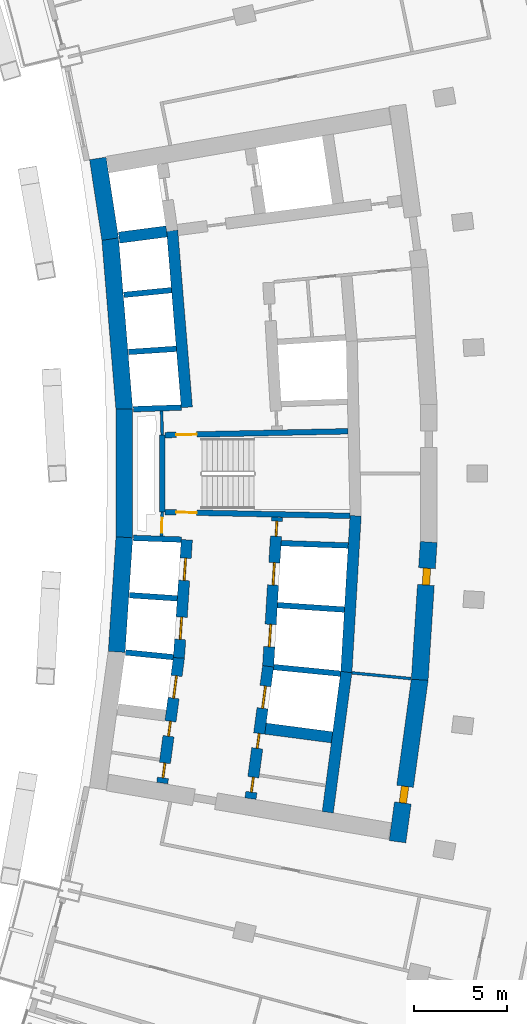
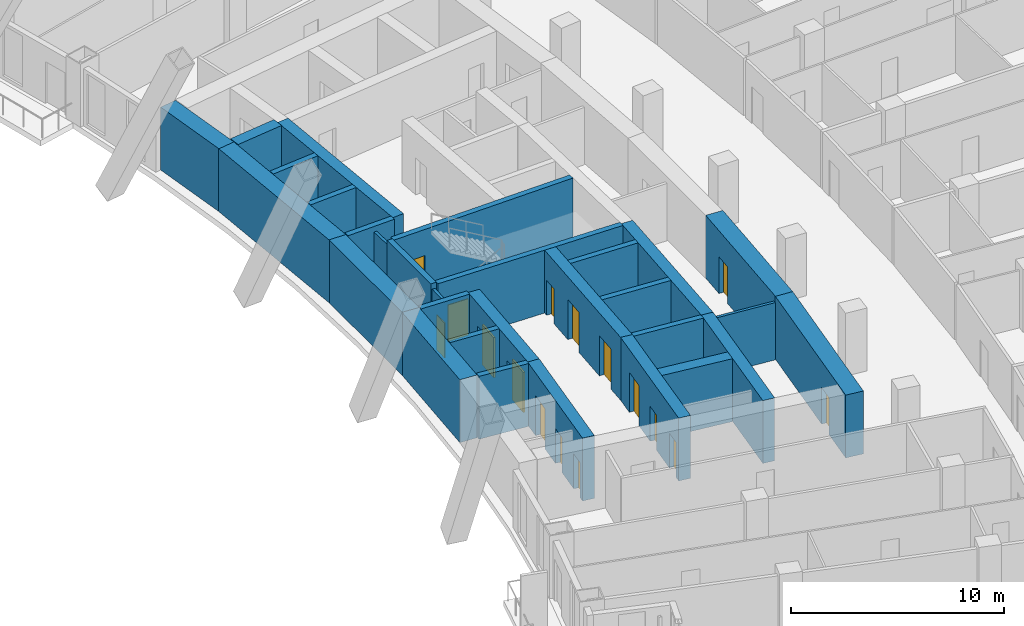
# One storey, part 16 of 25: 30 walls, 16 doors, 16 openings.
"""IFC4 building model written with IfcOpenShell, lengths in metres."""

from ifc_helpers import new_model, si_unit, direction, frame, frame_2d, origin, place, context, subcontext, project, spatial, rectangle, extrude, material, layer, layer_set, type_object, element, fill, save


model = new_model("IFC4")

# Units and contexts
model_context = context("Model", 3, precision=1e-05, world=origin(), true_north=direction((0.0, 1.0)))
body_context = subcontext(model_context, "Body", "Model", "MODEL_VIEW")
ifc_project = project(units=[si_unit("LENGTHUNIT", "METRE"), si_unit("AREAUNIT", "SQUARE_METRE"), si_unit("VOLUMEUNIT", "CUBIC_METRE"), si_unit("PLANEANGLEUNIT", "RADIAN"), si_unit("MASSUNIT", "GRAM", prefix="KILO")], contexts=[model_context])

# Site, building, storey
site_placement = place(None, origin())
site = spatial("IfcSite", under=ifc_project, at=site_placement, CompositionType="ELEMENT")
building_placement = place(site_placement, origin())
building = spatial("IfcBuilding", under=site, at=building_placement, Name="Alderwake Tower", CompositionType="ELEMENT")
storey_placement = place(building_placement, frame((0.0, 0.0, 42.800048828125)))
storey = spatial("IfcBuildingStorey", under=building, at=storey_placement, Name="L09", CompositionType="ELEMENT", Elevation=42.800048828125)

# Wall, opening, door
ifc_material_1 = material(Name="Gypsum shaft wall system, rated")
ifc_layer_1 = layer(ifc_material_1, 0.14990234375)
ifc_layer_set_1 = layer_set([ifc_layer_1], Name="Core room partition 150")
wall_type_1 = type_object("IfcWallType", Name="Core room partition 150", PredefinedType="PARTITIONING", material=ifc_layer_set_1)
wall_1_placement = place(storey_placement, frame((18.918701171875, 58.94384765625, 0.0), z_axis=(0.0, 0.0, 1.0), x_axis=(-0.027348257573, -0.999625966453, 0.0)))
wall_1 = element("IfcWall", 1, at=wall_1_placement, inside=storey, type_object=wall_type_1, Name="CW/L09/PA+24_-37", PredefinedType="PARTITIONING", context=body_context, shape_type="SweptSolid", body=[
    extrude(rectangle(XDim=1.29443359375, YDim=0.14990234375, at=frame_2d((0.647216796875, 0.0))), origin(), (0.0, 0.0, 1.0), 3.280029296875),
])
opening_1_placement = place(wall_1_placement, frame((0.322998046875, 0.0, 0.0)))
opening_1 = element("IfcOpeningElement", 2, at=opening_1_placement, cuts=wall_1, Name="Opening C004", PredefinedType="OPENING", context=body_context, shape_type="SweptSolid", body=[
    extrude(rectangle(XDim=0.800048828125, YDim=2.0, at=frame_2d((0.39990234375, 1.0))), frame((0.0, 0.0849609375, 0.0), z_axis=(0.0, -1.0, 0.0), x_axis=(1.0, 0.0, 0.0)), (0.0, 0.0, 1.0), 0.169921875),
])
ifc_material_2 = material(Name="Painted steel leaf, rated", Category="steel")
door_type_1 = type_object("IfcDoorType", Name="Riser access door 800", OperationType="SINGLE_SWING_LEFT", PredefinedType="DOOR", material=ifc_material_2)
door_1_placement = place(opening_1_placement, origin())
door_1 = element("IfcDoor", 3, at=door_1_placement, inside=storey, type_object=door_type_1, Name="Riser access door", OperationType="SINGLE_SWING_RIGHT", OverallHeight=2.0, OverallWidth=0.800048828125, PredefinedType="DOOR", context=body_context, shape_type="SweptSolid", body=[
    extrude(rectangle(XDim=0.800048828125, YDim=2.0, at=frame_2d((0.39990234375, 1.0))), frame((0.0, 0.02490234375, 0.0), z_axis=(0.0, -1.0, 0.0), x_axis=(1.0, 0.0, 0.0)), (0.0, 0.0, 1.0), 0.050048828125),
])
fill(opening_1, door_1)

# Walls
wall_2_placement = place(storey_placement, frame((18.918701171875, 63.05517578125, 0.0), z_axis=(0.0, 0.0, 1.0), x_axis=(-0.027327648352, 0.999626530078, 0.0)))
element("IfcWall", 4, at=wall_2_placement, inside=storey, type_object=wall_type_1, Name="CW/L09/PA+24_+22", PredefinedType="PARTITIONING", context=body_context, shape_type="SweptSolid", body=[
    extrude(rectangle(XDim=1.29541015625, YDim=0.14990234375, at=frame_2d((0.647705078125, 0.0))), origin(), (0.0, 0.0, 1.0), 3.280029296875),
])
wall_3_placement = place(storey_placement, frame((29.0791015625, 50.326416015625, 0.0), z_axis=(0.0, 0.0, 1.0), x_axis=(0.995249181795, -0.097360495766, 0.0)))
element("IfcWall", 5, at=wall_3_placement, inside=storey, type_object=wall_type_1, Name="CW/L09/PR-102_+128", PredefinedType="PARTITIONING", context=body_context, shape_type="SweptSolid", body=[
    extrude(rectangle(XDim=3.169677734375, YDim=0.14990234375, at=frame_2d((1.5849609375, 0.0))), origin(), (0.0, 0.0, 1.0), 3.280029296875),
])
ifc_material_3 = material(Name="Concrete C70/85", Category="concrete")
ifc_layer_2 = layer(ifc_material_3, 0.89990234375)
ifc_layer_set_2 = layer_set([ifc_layer_2], Name="Core wall outer 900 C70-85")
wall_type_2 = type_object("IfcWallType", Name="Core wall outer 900 C70-85", PredefinedType="SHEAR", material=ifc_layer_set_2)
wall_4_placement = place(storey_placement, frame((16.47900390625, 51.449951171875, 0.0), z_axis=(0.0, 0.0, 1.0), x_axis=(0.06689316208, 0.997760143956, 0.0)))
element("IfcWall", 6, at=wall_4_placement, inside=storey, type_object=wall_type_2, Name="Core wall CW.041", PredefinedType="SHEAR", context=body_context, shape_type="SweptSolid", body=[
    extrude(rectangle(XDim=6.149658203125, YDim=0.89990234375, at=frame_2d((3.07470703125, 0.0))), origin(), (0.0, 0.0, 1.0), 3.599853515625),
])
wall_5_placement = place(storey_placement, frame((16.889404296875, 57.5546875, 0.0), z_axis=(0.0, 0.0, 1.0), x_axis=(0.0, 1.0, 0.0)))
element("IfcWall", 7, at=wall_5_placement, inside=storey, type_object=wall_type_2, Name="Core wall CW.043", PredefinedType="SHEAR", context=body_context, shape_type="SweptSolid", body=[
    extrude(rectangle(XDim=6.89404296875, YDim=0.89990234375, at=frame_2d((3.447021484375, 0.0))), origin(), (0.0, 0.0, 1.0), 3.599853515625),
])
wall_6_placement = place(storey_placement, frame((16.890869140625, 64.41064453125, 0.0), z_axis=(0.0, 0.0, 1.0), x_axis=(-0.082624275373, 0.996580768989, 0.0)))
element("IfcWall", 8, at=wall_6_placement, inside=storey, type_object=wall_type_2, Name="Core wall CW.040", PredefinedType="SHEAR", context=body_context, shape_type="SweptSolid", body=[
    extrude(rectangle(XDim=9.210205078125, YDim=0.89990234375, at=frame_2d((4.60498046875, 0.0))), origin(), (0.0, 0.0, 1.0), 3.599853515625),
])
wall_7_placement = place(storey_placement, frame((16.1337890625, 73.557373046875, 0.0), z_axis=(0.0, 0.0, 1.0), x_axis=(-0.151956504286, 0.988387181627, 0.0)))
element("IfcWall", 9, at=wall_7_placement, inside=storey, type_object=wall_type_2, Name="Core wall CW.039", PredefinedType="SHEAR", context=body_context, shape_type="SweptSolid", body=[
    extrude(rectangle(XDim=4.373291015625, YDim=0.89990234375, at=frame_2d((2.1865234375, 0.0))), origin(), (0.0, 0.0, 1.0), 3.599853515625),
])

# Wall, opening, door
wall_8_placement = place(storey_placement, frame((32.7138671875, 49.9873046875, 0.0), z_axis=(0.0, 0.0, 1.0), x_axis=(-0.135844728876, -0.990730139663, 0.0)))
wall_8 = element("IfcWall", 10, at=wall_8_placement, inside=storey, type_object=wall_type_2, Name="Core wall CW.012", PredefinedType="SHEAR", context=body_context, shape_type="SweptSolid", body=[
    extrude(rectangle(XDim=8.78662109375, YDim=0.89990234375, at=frame_2d((4.393310546875, 0.0))), origin(), (0.0, 0.0, 1.0), 3.599853515625),
])
opening_2_placement = place(wall_8_placement, frame((5.79248046875, 0.0, 0.0)))
opening_2 = element("IfcOpeningElement", 11, at=opening_2_placement, cuts=wall_8, Name="Opening C060", PredefinedType="OPENING", context=body_context, shape_type="SweptSolid", body=[
    extrude(rectangle(XDim=0.89990234375, YDim=2.10009765625, at=frame_2d((0.449951171875, 1.050048828125))), frame((0.0, 0.4599609375, 0.0), z_axis=(0.0, -1.0, 0.0), x_axis=(1.0, 0.0, 0.0)), (0.0, 0.0, 1.0), 0.919921875),
])
ifc_material_4 = material(Name="Painted steel leaf", Category="steel")
door_type_2 = type_object("IfcDoorType", Name="Core room door 900", OperationType="SINGLE_SWING_LEFT", PredefinedType="DOOR", material=ifc_material_4)
door_2_placement = place(opening_2_placement, origin())
door_2 = element("IfcDoor", 12, at=door_2_placement, inside=storey, type_object=door_type_2, Name="Room door", OperationType="SINGLE_SWING_LEFT", OverallHeight=2.10009765625, OverallWidth=0.89990234375, PredefinedType="DOOR", context=body_context, shape_type="SweptSolid", body=[
    extrude(rectangle(XDim=0.89990234375, YDim=2.10009765625, at=frame_2d((0.449951171875, 1.050048828125))), frame((0.0, 0.199951171875, 0.0), z_axis=(0.0, -1.0, 0.0), x_axis=(1.0, 0.0, 0.0)), (0.0, 0.0, 1.0), 0.39990234375),
])
fill(opening_2, door_2)

wall_9_placement = place(storey_placement, frame((33.191162109375, 57.33349609375, 0.0), z_axis=(0.0, 0.0, 1.0), x_axis=(-0.064976219143, -0.997886812693, 0.0)))
wall_9 = element("IfcWall", 13, at=wall_9_placement, inside=storey, type_object=wall_type_2, Name="Core wall CW.011", PredefinedType="SHEAR", context=body_context, shape_type="SweptSolid", body=[
    extrude(rectangle(XDim=7.39453125, YDim=0.89990234375, at=frame_2d((3.697265625, 0.0))), origin(), (0.0, 0.0, 1.0), 3.599853515625),
])
opening_3_placement = place(wall_9_placement, frame((1.405517578125, 0.0, 0.0)))
opening_3 = element("IfcOpeningElement", 14, at=opening_3_placement, cuts=wall_9, Name="Opening C025", PredefinedType="OPENING", context=body_context, shape_type="SweptSolid", body=[
    extrude(rectangle(XDim=0.89990234375, YDim=2.10009765625, at=frame_2d((0.449951171875, 1.050048828125))), frame((0.0, 0.4599609375, 0.0), z_axis=(0.0, -1.0, 0.0), x_axis=(1.0, 0.0, 0.0)), (0.0, 0.0, 1.0), 0.919921875),
])
door_3_placement = place(opening_3_placement, origin())
door_3 = element("IfcDoor", 15, at=door_3_placement, inside=storey, type_object=door_type_2, Name="Room door", OperationType="SINGLE_SWING_RIGHT", OverallHeight=2.10009765625, OverallWidth=0.89990234375, PredefinedType="DOOR", context=body_context, shape_type="SweptSolid", body=[
    extrude(rectangle(XDim=0.89990234375, YDim=2.10009765625, at=frame_2d((0.449951171875, 1.050048828125))), frame((0.0, 0.199951171875, 0.0), z_axis=(0.0, -1.0, 0.0), x_axis=(1.0, 0.0, 0.0)), (0.0, 0.0, 1.0), 0.39990234375),
])
fill(opening_3, door_3)

# Walls
ifc_material_5 = material(Name="Concrete C70/85", Category="concrete")
ifc_layer_3 = layer(ifc_material_5, 0.300048828125)
ifc_layer_set_3 = layer_set([ifc_layer_3], Name="Core wall shaft 300 C70-85")
wall_type_3 = type_object("IfcWallType", Name="Core wall shaft 300 C70-85", PredefinedType="SHEAR", material=ifc_layer_set_3)
wall_10_placement = place(storey_placement, frame((16.9580078125, 51.4189453125, 0.0), z_axis=(0.0, 0.0, 1.0), x_axis=(0.995153154577, -0.098337169657, 0.0)))
element("IfcWall", 16, at=wall_10_placement, inside=storey, type_object=wall_type_3, Name="Core wall CW.065", PredefinedType="SHEAR", context=body_context, shape_type="SweptSolid", body=[
    extrude(rectangle(XDim=2.569580078125, YDim=0.300048828125, at=frame_2d((1.28466796875, 0.0))), origin(), (0.0, 0.0, 1.0), 3.599853515625),
])
wall_11_placement = place(storey_placement, frame((24.889404296875, 50.635009765625, 0.0), z_axis=(0.0, 0.0, 1.0), x_axis=(0.995156121494, -0.098307140396, 0.0)))
element("IfcWall", 17, at=wall_11_placement, inside=storey, type_object=wall_type_3, Name="Core wall CW.066", PredefinedType="SHEAR", context=body_context, shape_type="SweptSolid", body=[
    extrude(rectangle(XDim=3.595947265625, YDim=0.300048828125, at=frame_2d((1.7978515625, 0.0))), origin(), (0.0, 0.0, 1.0), 3.599853515625),
])
wall_12_placement = place(storey_placement, frame((17.16357421875, 54.486083984375, 0.0), z_axis=(0.0, 0.0, 1.0), x_axis=(0.997758581961, -0.066916456292, 0.0)))
element("IfcWall", 18, at=wall_12_placement, inside=storey, type_object=wall_type_3, Name="Core wall CW.079", PredefinedType="SHEAR", context=body_context, shape_type="SweptSolid", body=[
    extrude(rectangle(XDim=2.568603515625, YDim=0.300048828125, at=frame_2d((1.2841796875, 0.0))), origin(), (0.0, 0.0, 1.0), 3.599853515625),
])
wall_13_placement = place(storey_placement, frame((25.090087890625, 53.954833984375, 0.0), z_axis=(0.0, 0.0, 1.0), x_axis=(0.997758045734, -0.066924451231, 0.0)))
element("IfcWall", 19, at=wall_13_placement, inside=storey, type_object=wall_type_3, Name="Core wall CW.080", PredefinedType="SHEAR", context=body_context, shape_type="SweptSolid", body=[
    extrude(rectangle(XDim=3.596923828125, YDim=0.300048828125, at=frame_2d((1.79833984375, 0.0))), origin(), (0.0, 0.0, 1.0), 3.599853515625),
])
wall_14_placement = place(storey_placement, frame((17.369140625, 57.553466796875, 0.0), z_axis=(0.0, 0.0, 1.0), x_axis=(0.99937189907, -0.035437372217, 0.0)))
element("IfcWall", 20, at=wall_14_placement, inside=storey, type_object=wall_type_3, Name="Core wall CW.076", PredefinedType="SHEAR", context=body_context, shape_type="SweptSolid", body=[
    extrude(rectangle(XDim=2.56982421875, YDim=0.300048828125, at=frame_2d((1.284912109375, 0.0))), origin(), (0.0, 0.0, 1.0), 3.599853515625),
])
wall_15_placement = place(storey_placement, frame((25.29052734375, 57.27294921875, 0.0), z_axis=(0.0, 0.0, 1.0), x_axis=(0.99937585491, -0.035325636908, 0.0)))
element("IfcWall", 21, at=wall_15_placement, inside=storey, type_object=wall_type_3, Name="Core wall CW.077", PredefinedType="SHEAR", context=body_context, shape_type="SweptSolid", body=[
    extrude(rectangle(XDim=3.59375, YDim=0.300048828125, at=frame_2d((1.796875, 0.0))), origin(), (0.0, 0.0, 1.0), 3.599853515625),
])
wall_16_placement = place(storey_placement, frame((17.369384765625, 64.446533203125, 0.0), z_axis=(0.0, 0.0, 1.0), x_axis=(0.999371660382, 0.035444102817, 0.0)))
element("IfcWall", 22, at=wall_16_placement, inside=storey, type_object=wall_type_3, Name="Core wall CW.059", PredefinedType="SHEAR", context=body_context, shape_type="SweptSolid", body=[
    extrude(rectangle(XDim=2.5693359375, YDim=0.300048828125, at=frame_2d((1.28466796875, 0.0))), origin(), (0.0, 0.0, 1.0), 3.599853515625),
])
for number, where, z_axis, x_axis, name in (
    (23, (17.115478515625, 67.510498046875, 0.0), (0.0, 0.0, 1.0), (0.99775517309, 0.06696726493, 0.0), "Core wall CW.062"),
    (24, (16.86181640625, 70.571533203125, 0.0), (0.0, 0.0, 1.0), (0.995151424955, 0.098354671516, 0.0), "Core wall CW.050"),
):
    element("IfcWall", number, at=place(storey_placement, frame(where, z_axis=z_axis, x_axis=x_axis)), inside=storey, type_object=wall_type_3, Name=name, PredefinedType="SHEAR", context=body_context, shape_type="SweptSolid", body=[
        extrude(rectangle(XDim=2.566650390625, YDim=0.300048828125, at=frame_2d((1.283203125, 0.0))), origin(), (0.0, 0.0, 1.0), 3.599853515625),
    ])

# Wall, openings, doors
ifc_material_6 = material(Name="Concrete C70/85", Category="concrete")
ifc_layer_4 = layer(ifc_material_6, 0.60009765625)
ifc_layer_set_4 = layer_set([ifc_layer_4], Name="Core wall spine 600 C70-85")
wall_type_4 = type_object("IfcWallType", Name="Core wall spine 600 C70-85", PredefinedType="SHEAR", material=ifc_layer_set_4)
wall_17_placement = place(storey_placement, frame((19.815185546875, 51.14697265625, 0.0), z_axis=(0.0, 0.0, 1.0), x_axis=(-0.131854836214, -0.991269036219, 0.0)))
wall_17 = element("IfcWall", 25, at=wall_17_placement, inside=storey, type_object=wall_type_4, Name="Core wall CW.033", PredefinedType="SHEAR", context=body_context, shape_type="SweptSolid", body=[
    extrude(rectangle(XDim=6.782470703125, YDim=0.60009765625, at=frame_2d((3.39111328125, 0.0))), origin(), (0.0, 0.0, 1.0), 3.599853515625),
])
opening_4_placement = place(wall_17_placement, frame((0.9921875, 0.0, 0.0)))
opening_4 = element("IfcOpeningElement", 26, at=opening_4_placement, cuts=wall_17, Name="Opening LD-LP1", PredefinedType="OPENING", context=body_context, shape_type="SweptSolid", body=[
    extrude(rectangle(XDim=1.199951171875, YDim=2.300048828125, at=frame_2d((0.60009765625, 1.14990234375))), frame((0.0, 0.31005859375, 0.0), z_axis=(0.0, -1.0, 0.0), x_axis=(1.0, 0.0, 0.0)), (0.0, 0.0, 1.0), 0.6201171875),
])
opening_5_placement = place(wall_17_placement, frame((5.699951171875, 0.0, 0.0)))
opening_5 = element("IfcOpeningElement", 27, at=opening_5_placement, cuts=wall_17, Name="Opening C009", PredefinedType="OPENING", context=body_context, shape_type="SweptSolid", body=[
    extrude(rectangle(XDim=0.800048828125, YDim=2.0, at=frame_2d((0.39990234375, 1.0))), frame((0.0, 0.31005859375, 0.0), z_axis=(0.0, -1.0, 0.0), x_axis=(1.0, 0.0, 0.0)), (0.0, 0.0, 1.0), 0.6201171875),
])
opening_6_placement = place(wall_17_placement, frame((3.4462890625, 0.0, 0.0)))
opening_6 = element("IfcOpeningElement", 28, at=opening_6_placement, cuts=wall_17, Name="Opening C010", PredefinedType="OPENING", context=body_context, shape_type="SweptSolid", body=[
    extrude(rectangle(XDim=0.800048828125, YDim=2.0, at=frame_2d((0.39990234375, 1.0))), frame((0.0, 0.31005859375, 0.0), z_axis=(0.0, -1.0, 0.0), x_axis=(1.0, 0.0, 0.0)), (0.0, 0.0, 1.0), 0.6201171875),
])
ifc_material_7 = material(Name="Stainless steel sliding leaf", Category="steel")
door_type_3 = type_object("IfcDoorType", Name="Lift landing door 1200", OperationType="SLIDING_TO_LEFT", PredefinedType="DOOR", material=ifc_material_7)
door_4_placement = place(opening_4_placement, origin())
door_4 = element("IfcDoor", 29, at=door_4_placement, inside=storey, type_object=door_type_3, Name="Lift landing door LP1", OperationType="SLIDING_TO_LEFT", OverallHeight=2.300048828125, OverallWidth=1.199951171875, PredefinedType="DOOR", context=body_context, shape_type="SweptSolid", body=[
    extrude(rectangle(XDim=1.199951171875, YDim=2.300048828125, at=frame_2d((0.60009765625, 1.14990234375))), frame((0.0, 0.050048828125, 0.0), z_axis=(0.0, -1.0, 0.0), x_axis=(1.0, 0.0, 0.0)), (0.0, 0.0, 1.0), 0.10009765625),
])
fill(opening_4, door_4)
door_5_placement = place(opening_5_placement, origin())
door_5 = element("IfcDoor", 30, at=door_5_placement, inside=storey, type_object=door_type_1, Name="Riser access door", OperationType="SINGLE_SWING_LEFT", OverallHeight=2.0, OverallWidth=0.800048828125, PredefinedType="DOOR", context=body_context, shape_type="SweptSolid", body=[
    extrude(rectangle(XDim=0.800048828125, YDim=2.0, at=frame_2d((0.39990234375, 1.0))), frame((0.0, 0.050048828125, 0.0), z_axis=(0.0, -1.0, 0.0), x_axis=(1.0, 0.0, 0.0)), (0.0, 0.0, 1.0), 0.10009765625),
])
fill(opening_5, door_5)
door_6_placement = place(opening_6_placement, origin())
door_6 = element("IfcDoor", 31, at=door_6_placement, inside=storey, type_object=door_type_1, Name="Riser access door", OperationType="SINGLE_SWING_RIGHT", OverallHeight=2.0, OverallWidth=0.800048828125, PredefinedType="DOOR", context=body_context, shape_type="SweptSolid", body=[
    extrude(rectangle(XDim=0.800048828125, YDim=2.0, at=frame_2d((0.39990234375, 1.0))), frame((0.0, 0.050048828125, 0.0), z_axis=(0.0, -1.0, 0.0), x_axis=(1.0, 0.0, 0.0)), (0.0, 0.0, 1.0), 0.10009765625),
])
fill(opening_6, door_6)

wall_18_placement = place(storey_placement, frame((19.813232421875, 51.12646484375, 0.0), z_axis=(0.0, 0.0, 1.0), x_axis=(0.066892179723, 0.997760209816, 0.0)))
wall_18 = element("IfcWall", 32, at=wall_18_placement, inside=storey, type_object=wall_type_4, Name="Core wall CW.032", PredefinedType="SHEAR", context=body_context, shape_type="SweptSolid", body=[
    extrude(rectangle(XDim=6.339599609375, YDim=0.60009765625, at=frame_2d((3.169921875, 0.0))), origin(), (0.0, 0.0, 1.0), 3.599853515625),
])
opening_7_placement = place(wall_18_placement, frame((0.992431640625, 0.0, 0.0)))
opening_7 = element("IfcOpeningElement", 33, at=opening_7_placement, cuts=wall_18, Name="Opening LD-LP2", PredefinedType="OPENING", context=body_context, shape_type="SweptSolid", body=[
    extrude(rectangle(XDim=1.199951171875, YDim=2.300048828125, at=frame_2d((0.60009765625, 1.14990234375))), frame((0.0, 0.31005859375, 0.0), z_axis=(0.0, -1.0, 0.0), x_axis=(1.0, 0.0, 0.0)), (0.0, 0.0, 1.0), 0.6201171875),
])
opening_8_placement = place(wall_18_placement, frame((4.157470703125, 0.0, 0.0)))
opening_8 = element("IfcOpeningElement", 34, at=opening_8_placement, cuts=wall_18, Name="Opening LD-LP3", PredefinedType="OPENING", context=body_context, shape_type="SweptSolid", body=[
    extrude(rectangle(XDim=1.199951171875, YDim=2.300048828125, at=frame_2d((0.60009765625, 1.14990234375))), frame((0.0, 0.31005859375, 0.0), z_axis=(0.0, -1.0, 0.0), x_axis=(1.0, 0.0, 0.0)), (0.0, 0.0, 1.0), 0.6201171875),
])
door_7_placement = place(opening_7_placement, origin())
door_7 = element("IfcDoor", 35, at=door_7_placement, inside=storey, type_object=door_type_3, Name="Lift landing door LP2", OperationType="SLIDING_TO_LEFT", OverallHeight=2.300048828125, OverallWidth=1.199951171875, PredefinedType="DOOR", context=body_context, shape_type="SweptSolid", body=[
    extrude(rectangle(XDim=1.199951171875, YDim=2.300048828125, at=frame_2d((0.60009765625, 1.14990234375))), frame((0.0, 0.050048828125, 0.0), z_axis=(0.0, -1.0, 0.0), x_axis=(1.0, 0.0, 0.0)), (0.0, 0.0, 1.0), 0.10009765625),
])
fill(opening_7, door_7)
door_8_placement = place(opening_8_placement, origin())
door_8 = element("IfcDoor", 36, at=door_8_placement, inside=storey, type_object=door_type_3, Name="Lift landing door LP3", OperationType="SLIDING_TO_LEFT", OverallHeight=2.300048828125, OverallWidth=1.199951171875, PredefinedType="DOOR", context=body_context, shape_type="SweptSolid", body=[
    extrude(rectangle(XDim=1.199951171875, YDim=2.300048828125, at=frame_2d((0.60009765625, 1.14990234375))), frame((0.0, 0.050048828125, 0.0), z_axis=(0.0, -1.0, 0.0), x_axis=(1.0, 0.0, 0.0)), (0.0, 0.0, 1.0), 0.10009765625),
])
fill(opening_8, door_8)

# Wall
wall_19_placement = place(storey_placement, frame((20.2373046875, 64.548095703125, 0.0), z_axis=(0.0, 0.0, 1.0), x_axis=(-0.082626598613, 0.996580576372, 0.0)))
element("IfcWall", 37, at=wall_19_placement, inside=storey, type_object=wall_type_4, Name="Core wall CW.031", PredefinedType="SHEAR", context=body_context, shape_type="SweptSolid", body=[
    extrude(rectangle(XDim=9.50244140625, YDim=0.60009765625, at=frame_2d((4.751220703125, 0.0))), origin(), (0.0, 0.0, 1.0), 3.599853515625),
])

# Wall, openings, doors
wall_20_placement = place(storey_placement, frame((23.647705078125, 43.588134765625, 0.0), z_axis=(0.0, 0.0, 1.0), x_axis=(0.132069785658, 0.991240420744, 0.0)))
wall_20 = element("IfcWall", 38, at=wall_20_placement, inside=storey, type_object=wall_type_4, Name="Core wall CW.047", PredefinedType="SHEAR", context=body_context, shape_type="SweptSolid", body=[
    extrude(rectangle(XDim=7.150390625, YDim=0.60009765625, at=frame_2d((3.5751953125, 0.0))), origin(), (0.0, 0.0, 1.0), 3.599853515625),
])
opening_9_placement = place(wall_20_placement, frame((4.88134765625, 0.0, 0.0)))
opening_9 = element("IfcOpeningElement", 39, at=opening_9_placement, cuts=wall_20, Name="Opening LD-LP4", PredefinedType="OPENING", context=body_context, shape_type="SweptSolid", body=[
    extrude(rectangle(XDim=1.199951171875, YDim=2.300048828125, at=frame_2d((0.60009765625, 1.14990234375))), frame((0.0, 0.31005859375, 0.0), z_axis=(0.0, -1.0, 0.0), x_axis=(1.0, 0.0, 0.0)), (0.0, 0.0, 1.0), 0.6201171875),
])
opening_10_placement = place(wall_20_placement, frame((0.35791015625, 0.0, 0.0)))
opening_10 = element("IfcOpeningElement", 40, at=opening_10_placement, cuts=wall_20, Name="Opening C016", PredefinedType="OPENING", context=body_context, shape_type="SweptSolid", body=[
    extrude(rectangle(XDim=0.800048828125, YDim=2.0, at=frame_2d((0.39990234375, 1.0))), frame((0.0, 0.31005859375, 0.0), z_axis=(0.0, -1.0, 0.0), x_axis=(1.0, 0.0, 0.0)), (0.0, 0.0, 1.0), 0.6201171875),
])
opening_11_placement = place(wall_20_placement, frame((2.719482421875, 0.0, 0.0)))
opening_11 = element("IfcOpeningElement", 41, at=opening_11_placement, cuts=wall_20, Name="Opening C017", PredefinedType="OPENING", context=body_context, shape_type="SweptSolid", body=[
    extrude(rectangle(XDim=0.800048828125, YDim=2.0, at=frame_2d((0.39990234375, 1.0))), frame((0.0, 0.31005859375, 0.0), z_axis=(0.0, -1.0, 0.0), x_axis=(1.0, 0.0, 0.0)), (0.0, 0.0, 1.0), 0.6201171875),
])
door_9_placement = place(opening_9_placement, origin())
door_9 = element("IfcDoor", 42, at=door_9_placement, inside=storey, type_object=door_type_3, Name="Lift landing door LP4", OperationType="SLIDING_TO_LEFT", OverallHeight=2.300048828125, OverallWidth=1.199951171875, PredefinedType="DOOR", context=body_context, shape_type="SweptSolid", body=[
    extrude(rectangle(XDim=1.199951171875, YDim=2.300048828125, at=frame_2d((0.60009765625, 1.14990234375))), frame((0.0, 0.050048828125, 0.0), z_axis=(0.0, -1.0, 0.0), x_axis=(1.0, 0.0, 0.0)), (0.0, 0.0, 1.0), 0.10009765625),
])
fill(opening_9, door_9)
door_10_placement = place(opening_10_placement, origin())
door_10 = element("IfcDoor", 43, at=door_10_placement, inside=storey, type_object=door_type_1, Name="Riser access door", OperationType="SINGLE_SWING_LEFT", OverallHeight=2.0, OverallWidth=0.800048828125, PredefinedType="DOOR", context=body_context, shape_type="SweptSolid", body=[
    extrude(rectangle(XDim=0.800048828125, YDim=2.0, at=frame_2d((0.39990234375, 1.0))), frame((0.0, 0.050048828125, 0.0), z_axis=(0.0, -1.0, 0.0), x_axis=(1.0, 0.0, 0.0)), (0.0, 0.0, 1.0), 0.10009765625),
])
fill(opening_10, door_10)
door_11_placement = place(opening_11_placement, origin())
door_11 = element("IfcDoor", 44, at=door_11_placement, inside=storey, type_object=door_type_1, Name="Riser access door", OperationType="SINGLE_SWING_RIGHT", OverallHeight=2.0, OverallWidth=0.800048828125, PredefinedType="DOOR", context=body_context, shape_type="SweptSolid", body=[
    extrude(rectangle(XDim=0.800048828125, YDim=2.0, at=frame_2d((0.39990234375, 1.0))), frame((0.0, 0.050048828125, 0.0), z_axis=(0.0, -1.0, 0.0), x_axis=(1.0, 0.0, 0.0)), (0.0, 0.0, 1.0), 0.10009765625),
])
fill(opening_11, door_11)

wall_21_placement = place(storey_placement, frame((24.58984375, 50.6533203125, 0.0), z_axis=(0.0, 0.0, 1.0), x_axis=(0.060323309079, 0.998178890972, 0.0)))
wall_21 = element("IfcWall", 45, at=wall_21_placement, inside=storey, type_object=wall_type_4, Name="Core wall CW.046", PredefinedType="SHEAR", context=body_context, shape_type="SweptSolid", body=[
    extrude(rectangle(XDim=8.025634765625, YDim=0.60009765625, at=frame_2d((4.0126953125, 0.0))), origin(), (0.0, 0.0, 1.0), 3.599853515625),
])
opening_12_placement = place(wall_21_placement, frame((1.06884765625, 0.0, 0.0)))
opening_12 = element("IfcOpeningElement", 46, at=opening_12_placement, cuts=wall_21, Name="Opening LD-LP5", PredefinedType="OPENING", context=body_context, shape_type="SweptSolid", body=[
    extrude(rectangle(XDim=1.199951171875, YDim=2.300048828125, at=frame_2d((0.60009765625, 1.14990234375))), frame((0.0, 0.31005859375, 0.0), z_axis=(0.0, -1.0, 0.0), x_axis=(1.0, 0.0, 0.0)), (0.0, 0.0, 1.0), 0.6201171875),
])
opening_13_placement = place(wall_21_placement, frame((4.38525390625, 0.0, 0.0)))
opening_13 = element("IfcOpeningElement", 47, at=opening_13_placement, cuts=wall_21, Name="Opening LD-LP6", PredefinedType="OPENING", context=body_context, shape_type="SweptSolid", body=[
    extrude(rectangle(XDim=1.199951171875, YDim=2.300048828125, at=frame_2d((0.60009765625, 1.14990234375))), frame((0.0, 0.31005859375, 0.0), z_axis=(0.0, -1.0, 0.0), x_axis=(1.0, 0.0, 0.0)), (0.0, 0.0, 1.0), 0.6201171875),
])
opening_14_placement = place(wall_21_placement, frame((7.009521484375, 0.0, 0.0)))
opening_14 = element("IfcOpeningElement", 48, at=opening_14_placement, cuts=wall_21, Name="Opening C006", PredefinedType="OPENING", context=body_context, shape_type="SweptSolid", body=[
    extrude(rectangle(XDim=0.800048828125, YDim=2.0, at=frame_2d((0.39990234375, 1.0))), frame((0.0, 0.31005859375, 0.0), z_axis=(0.0, -1.0, 0.0), x_axis=(1.0, 0.0, 0.0)), (0.0, 0.0, 1.0), 0.6201171875),
])
door_12_placement = place(opening_12_placement, origin())
door_12 = element("IfcDoor", 49, at=door_12_placement, inside=storey, type_object=door_type_3, Name="Lift landing door LP5", OperationType="SLIDING_TO_LEFT", OverallHeight=2.300048828125, OverallWidth=1.199951171875, PredefinedType="DOOR", context=body_context, shape_type="SweptSolid", body=[
    extrude(rectangle(XDim=1.199951171875, YDim=2.300048828125, at=frame_2d((0.60009765625, 1.14990234375))), frame((0.0, 0.050048828125, 0.0), z_axis=(0.0, -1.0, 0.0), x_axis=(1.0, 0.0, 0.0)), (0.0, 0.0, 1.0), 0.10009765625),
])
fill(opening_12, door_12)
door_13_placement = place(opening_13_placement, origin())
door_13 = element("IfcDoor", 50, at=door_13_placement, inside=storey, type_object=door_type_3, Name="Lift landing door LP6", OperationType="SLIDING_TO_LEFT", OverallHeight=2.300048828125, OverallWidth=1.199951171875, PredefinedType="DOOR", context=body_context, shape_type="SweptSolid", body=[
    extrude(rectangle(XDim=1.199951171875, YDim=2.300048828125, at=frame_2d((0.60009765625, 1.14990234375))), frame((0.0, 0.050048828125, 0.0), z_axis=(0.0, -1.0, 0.0), x_axis=(1.0, 0.0, 0.0)), (0.0, 0.0, 1.0), 0.10009765625),
])
fill(opening_13, door_13)
door_14_placement = place(opening_14_placement, origin())
door_14 = element("IfcDoor", 51, at=door_14_placement, inside=storey, type_object=door_type_1, Name="Riser access door", OperationType="SINGLE_SWING_RIGHT", OverallHeight=2.0, OverallWidth=0.800048828125, PredefinedType="DOOR", context=body_context, shape_type="SweptSolid", body=[
    extrude(rectangle(XDim=0.800048828125, YDim=2.0, at=frame_2d((0.39990234375, 1.0))), frame((0.0, 0.050048828125, 0.0), z_axis=(0.0, -1.0, 0.0), x_axis=(1.0, 0.0, 0.0)), (0.0, 0.0, 1.0), 0.10009765625),
])
fill(opening_14, door_14)

# Walls
wall_22_placement = place(storey_placement, frame((27.78369140625, 42.85693359375, 0.0), z_axis=(0.0, 0.0, 1.0), x_axis=(0.131768985664, 0.991280451949, 0.0)))
element("IfcWall", 52, at=wall_22_placement, inside=storey, type_object=wall_type_4, Name="Core wall CW.006", PredefinedType="SHEAR", context=body_context, shape_type="SweptSolid", body=[
    extrude(rectangle(XDim=7.576171875, YDim=0.60009765625, at=frame_2d((3.7880859375, 0.0))), origin(), (0.0, 0.0, 1.0), 3.599853515625),
])
wall_23_placement = place(storey_placement, frame((28.77978515625, 50.34423828125, 0.0), z_axis=(0.0, 0.0, 1.0), x_axis=(0.059133840665, 0.998250063305, 0.0)))
element("IfcWall", 53, at=wall_23_placement, inside=storey, type_object=wall_type_4, Name="Core wall CW.004", PredefinedType="SHEAR", context=body_context, shape_type="SweptSolid", body=[
    extrude(rectangle(XDim=8.409912109375, YDim=0.60009765625, at=frame_2d((4.205078125, 0.0))), origin(), (0.0, 0.0, 1.0), 3.599853515625),
])
wall_24_placement = place(storey_placement, frame((24.4501953125, 47.338623046875, 0.0), z_axis=(0.0, 0.0, 1.0), x_axis=(0.99155225032, -0.129707882892, 0.0)))
element("IfcWall", 54, at=wall_24_placement, inside=storey, type_object=wall_type_4, Name="Core wall CW.069", PredefinedType="SHEAR", context=body_context, shape_type="SweptSolid", body=[
    extrude(rectangle(XDim=3.594970703125, YDim=0.60009765625, at=frame_2d((1.79736328125, 0.0))), origin(), (0.0, 0.0, 1.0), 3.599853515625),
])
wall_25_placement = place(storey_placement, frame((16.607666015625, 73.635498046875, 0.0), z_axis=(0.0, 0.0, 1.0), x_axis=(0.991551057449, 0.129717001478, 0.0)))
element("IfcWall", 55, at=wall_25_placement, inside=storey, type_object=wall_type_4, Name="Core wall CW.051", PredefinedType="SHEAR", context=body_context, shape_type="SweptSolid", body=[
    extrude(rectangle(XDim=2.569091796875, YDim=0.60009765625, at=frame_2d((1.28466796875, 0.0))), origin(), (0.0, 0.0, 1.0), 3.599853515625),
])
ifc_material_8 = material(Name="Concrete C70/85", Category="concrete")
ifc_layer_5 = layer(ifc_material_8, 0.300048828125)
ifc_layer_set_5 = layer_set([ifc_layer_5], Name="Core wall stair enclosure 300 C70-85")
wall_type_5 = type_object("IfcWallType", Name="Core wall stair enclosure 300 C70-85", PredefinedType="SHEAR", material=ifc_layer_set_5)
wall_26_placement = place(storey_placement, frame((18.918701171875, 58.94091796875, 0.0), z_axis=(0.0, 0.0, 1.0), x_axis=(0.0, 1.0, 0.0)))
element("IfcWall", 56, at=wall_26_placement, inside=storey, type_object=wall_type_5, Name="Core wall CW.024", PredefinedType="SHEAR", context=body_context, shape_type="SweptSolid", body=[
    extrude(rectangle(XDim=4.119384765625, YDim=0.300048828125, at=frame_2d((2.0595703125, 0.0))), origin(), (0.0, 0.0, 1.0), 3.599853515625),
])

# Wall, opening, door
wall_27_placement = place(storey_placement, frame((28.976318359375, 58.733154296875, 0.0), z_axis=(0.0, 0.0, 1.0), x_axis=(-0.999783804252, 0.020792901552, 0.0)))
wall_27 = element("IfcWall", 57, at=wall_27_placement, inside=storey, type_object=wall_type_5, Name="Core wall CW.074", PredefinedType="SHEAR", context=body_context, shape_type="SweptSolid", body=[
    extrude(rectangle(XDim=9.909912109375, YDim=0.300048828125, at=frame_2d((4.955078125, 0.0))), origin(), (0.0, 0.0, 1.0), 3.599853515625),
])
opening_15_placement = place(wall_27_placement, frame((8.209716796875, 0.0, 0.0)))
opening_15 = element("IfcOpeningElement", 58, at=opening_15_placement, cuts=wall_27, Name="Opening C063", PredefinedType="OPENING", context=body_context, shape_type="SweptSolid", body=[
    extrude(rectangle(XDim=1.10009765625, YDim=2.10009765625, at=frame_2d((0.550048828125, 1.050048828125))), frame((0.0, 0.159912109375, 0.0), z_axis=(0.0, -1.0, 0.0), x_axis=(1.0, 0.0, 0.0)), (0.0, 0.0, 1.0), 0.320068359375),
])
ifc_material_9 = material(Name="Steel-framed fire door leaf", Category="steel")
door_type_4 = type_object("IfcDoorType", Name="Core stair door 1100 fire-rated", OperationType="SINGLE_SWING_LEFT", PredefinedType="DOOR", material=ifc_material_9)
door_15_placement = place(opening_15_placement, origin())
door_15 = element("IfcDoor", 59, at=door_15_placement, inside=storey, type_object=door_type_4, Name="Stair door", OperationType="SINGLE_SWING_LEFT", OverallHeight=2.10009765625, OverallWidth=1.10009765625, PredefinedType="DOOR", context=body_context, shape_type="SweptSolid", body=[
    extrude(rectangle(XDim=1.10009765625, YDim=2.10009765625, at=frame_2d((0.550048828125, 1.050048828125))), frame((0.0, 0.02490234375, 0.0), z_axis=(0.0, -1.0, 0.0), x_axis=(1.0, 0.0, 0.0)), (0.0, 0.0, 1.0), 0.050048828125),
])
fill(opening_15, door_15)

wall_28_placement = place(storey_placement, frame((19.068603515625, 63.060791015625, 0.0), z_axis=(0.0, 0.0, 1.0), x_axis=(0.999783520771, 0.020806527678, 0.0)))
wall_28 = element("IfcWall", 60, at=wall_28_placement, inside=storey, type_object=wall_type_5, Name="Core wall CW.057", PredefinedType="SHEAR", context=body_context, shape_type="SweptSolid", body=[
    extrude(rectangle(XDim=9.8095703125, YDim=0.300048828125, at=frame_2d((4.90478515625, 0.0))), origin(), (0.0, 0.0, 1.0), 3.599853515625),
])
opening_16_placement = place(wall_28_placement, frame((0.60009765625, 0.0, 0.0)))
opening_16 = element("IfcOpeningElement", 61, at=opening_16_placement, cuts=wall_28, Name="Opening C064", PredefinedType="OPENING", context=body_context, shape_type="SweptSolid", body=[
    extrude(rectangle(XDim=1.10009765625, YDim=2.10009765625, at=frame_2d((0.550048828125, 1.050048828125))), frame((0.0, 0.159912109375, 0.0), z_axis=(0.0, -1.0, 0.0), x_axis=(1.0, 0.0, 0.0)), (0.0, 0.0, 1.0), 0.320068359375),
])
door_16_placement = place(opening_16_placement, origin())
door_16 = element("IfcDoor", 62, at=door_16_placement, inside=storey, type_object=door_type_4, Name="Stair door", OperationType="SINGLE_SWING_RIGHT", OverallHeight=2.10009765625, OverallWidth=1.10009765625, PredefinedType="DOOR", context=body_context, shape_type="SweptSolid", body=[
    extrude(rectangle(XDim=1.10009765625, YDim=2.10009765625, at=frame_2d((0.550048828125, 1.050048828125))), frame((0.0, 0.02490234375, 0.0), z_axis=(0.0, -1.0, 0.0), x_axis=(1.0, 0.0, 0.0)), (0.0, 0.0, 1.0), 0.050048828125),
])
fill(opening_16, door_16)

save(model, "model.ifc")
